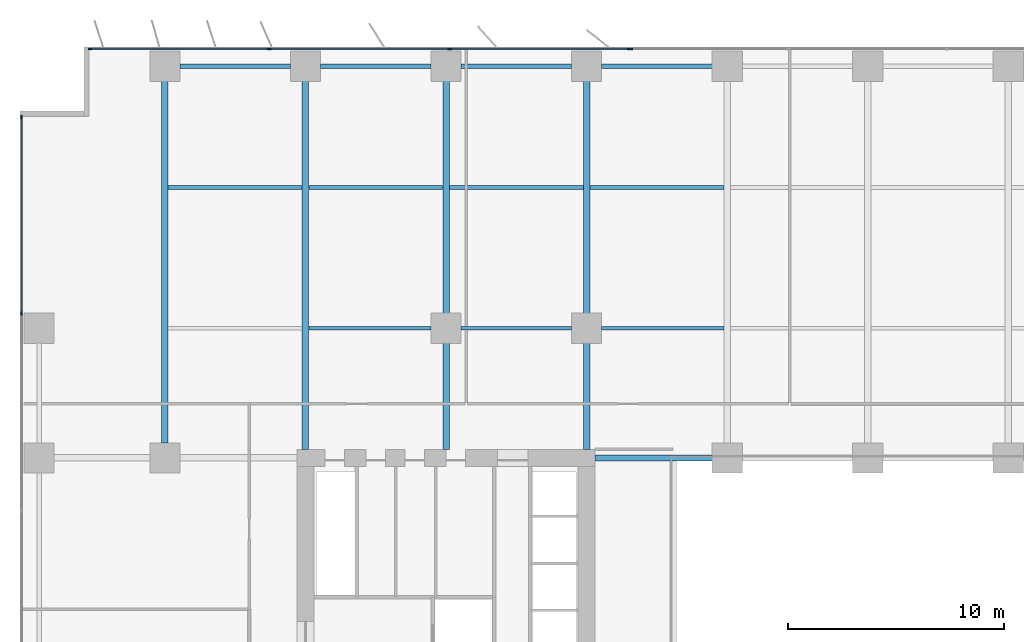
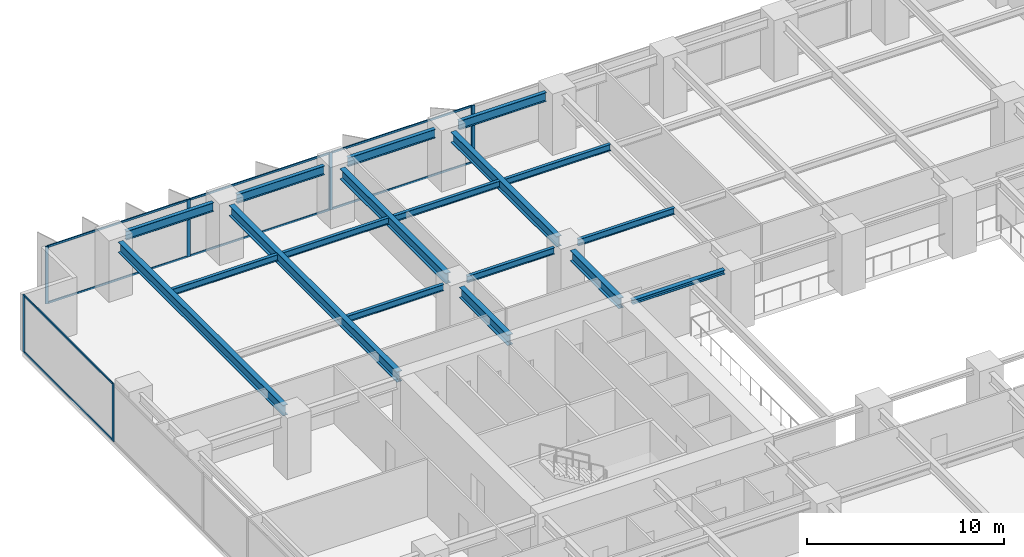
# One storey, part 7 of 20: 18 beams, 15 members, 3 elements without a shape of their own.
"""IFC4 building model written with IfcOpenShell, lengths in metres."""

import ifcopenshell
import ifcopenshell.guid

model = None  # the IFC model being written
_history = None  # IfcOwnerHistory: only IFC2X3 demands one
_inside = {}  # id of a spatial element -> (the spatial element, [elements in it])
_under = {}  # id of a project, library or spatial element -> (it, [spatial elements below it])
_declared = {}  # id of a project -> (the project, [libraries it declares])
_typed = {}  # id of a type object -> (the type object, [elements of that type])
_made_of = {}  # id of a material, layer set ... -> (it, [elements and type objects made of it])


def new_model(schema):
    """Start an empty IFC model of exactly this schema.

    Asked for "IFC4X3", IfcOpenShell would pick the latest addendum, in which some entities
    have other attributes; the version numbers below select the first issue.
    IFC2X3 requires an IfcOwnerHistory on every rooted entity: one is made here for all.
    """
    global model, _history
    if schema == "IFC4X3":
        model = ifcopenshell.file(schema_version=(4, 3, 0, 0))
    else:
        model = ifcopenshell.file(schema=schema)
    _inside.clear()
    _under.clear()
    _declared.clear()
    _typed.clear()
    _made_of.clear()
    _history = None
    if model.schema == "IFC2X3":
        org = make("IfcOrganization", Name="unknown")
        user = make(
            "IfcPersonAndOrganization",
            ThePerson=make("IfcPerson", FamilyName="unknown"),
            TheOrganization=org,
        )
        app = make(
            "IfcApplication",
            ApplicationDeveloper=org,
            Version="unknown",
            ApplicationFullName="unknown",
            ApplicationIdentifier="unknown",
        )
        _history = make(
            "IfcOwnerHistory",
            OwningUser=user,
            OwningApplication=app,
            ChangeAction="ADDED",
            CreationDate=0,
        )
    return model


def make(cls, **values):
    """One entity of the class cls with the attributes given. An attribute that is None is left unset."""
    return model.create_entity(
        cls, **{name: value for name, value in values.items() if value is not None}
    )


def rooted(cls, **values):
    """An entity with a GlobalId (a new one), such as an element, a storey or a relation."""
    return make(cls, GlobalId=ifcopenshell.guid.new(), OwnerHistory=_history, **values)


def si_unit(unit_type, name, prefix=None):
    """IfcSIUnit, for example si_unit("LENGTHUNIT", "METRE", prefix="MILLI")."""
    return make("IfcSIUnit", UnitType=unit_type, Prefix=prefix, Name=name)


def assignment(units):
    """IfcUnitAssignment: the units of a project."""
    return None if units is None else make("IfcUnitAssignment", Units=units)


def point(xyz):
    """IfcCartesianPoint."""
    return None if xyz is None else make("IfcCartesianPoint", Coordinates=xyz)


def direction(xyz):
    """IfcDirection."""
    return None if xyz is None else make("IfcDirection", DirectionRatios=xyz)


def frame(location, z_axis=None, x_axis=None):
    """IfcAxis2Placement3D, a coordinate frame: its origin and axes. An axis left out is left unset."""
    return make(
        "IfcAxis2Placement3D",
        Location=point(location),
        Axis=direction(z_axis),
        RefDirection=direction(x_axis),
    )


def frame_2d(location, x_axis=None):
    """IfcAxis2Placement2D, a coordinate frame in the plane: its origin and x axis."""
    return make(
        "IfcAxis2Placement2D", Location=point(location), RefDirection=direction(x_axis)
    )


def origin():
    """The frame at (0, 0, 0) with its axes left unset."""
    return frame((0.0, 0.0, 0.0))


def origin_2d():
    """The frame at (0, 0) in the plane with its x axis left unset."""
    return frame_2d((0.0, 0.0))


def place(relative_to, where):
    """IfcLocalPlacement: puts the frame where relative to a parent placement (None: the world)."""
    return make(
        "IfcLocalPlacement", PlacementRelTo=relative_to, RelativePlacement=where
    )


def context(
    kind, dimensions, precision=None, world=None, true_north=None, identifier=None
):
    """IfcGeometricRepresentationContext, for example the 3D "Model" context."""
    return make(
        "IfcGeometricRepresentationContext",
        ContextIdentifier=identifier,
        ContextType=kind,
        CoordinateSpaceDimension=dimensions,
        Precision=precision,
        WorldCoordinateSystem=world,
        TrueNorth=true_north,
    )


def subcontext(parent, identifier, kind, view, scale=None):
    """IfcGeometricRepresentationSubContext, for example "Body" below "Model"."""
    return make(
        "IfcGeometricRepresentationSubContext",
        ContextIdentifier=identifier,
        ContextType=kind,
        ParentContext=parent,
        TargetScale=scale,
        TargetView=view,
    )


def project(units=None, contexts=None):
    """IfcProject with its units and contexts."""
    return rooted(
        "IfcProject",
        Name="project",
        RepresentationContexts=contexts,
        UnitsInContext=assignment(units),
    )


def spatial(cls, under=None, at=None, **own):
    """A site, building, storey or space (cls), placed at a placement, below another one or the project."""
    s = rooted(cls, ObjectPlacement=at, **own)
    if under is not None:
        _under.setdefault(under.id(), (under, []))[1].append(s)
    return s


def profile(cls, at=None, kind="AREA", **sizes):
    """A parametric profile (cls). Its sizes go by their IFC names, for example OverallWidth=200.0."""
    return make(cls, ProfileType=kind, Position=at, **sizes)


def rectangle(**sizes):
    """IfcRectangleProfileDef."""
    return profile("IfcRectangleProfileDef", **sizes)


def i_section(**sizes):
    """IfcIShapeProfileDef."""
    return profile("IfcIShapeProfileDef", **sizes)


def extrude(swept, where, along, depth):
    """IfcExtrudedAreaSolid: the profile swept, set in the frame where, extruded along a direction by depth."""
    return make(
        "IfcExtrudedAreaSolid",
        SweptArea=swept,
        Position=where,
        ExtrudedDirection=direction(along),
        Depth=depth,
    )


def shape(context_of_items, identifier, shape_type, items):
    """IfcShapeRepresentation: the items that make up one representation, for example the "Body"."""
    return make(
        "IfcShapeRepresentation",
        ContextOfItems=context_of_items,
        RepresentationIdentifier=identifier,
        RepresentationType=shape_type,
        Items=items,
    )


def material(Name=None, Category=None):
    """IfcMaterial."""
    return make("IfcMaterial", Name=Name, Category=Category)


def layer(
    of_material, thickness, ventilated=None, Name=None, Category=None, Priority=None
):
    """IfcMaterialLayer: one layer of a wall or slab, of a material (None: an air gap)."""
    return make(
        "IfcMaterialLayer",
        Material=of_material,
        LayerThickness=thickness,
        IsVentilated=ventilated,
        Name=Name,
        Category=Category,
        Priority=Priority,
    )


def layer_set(layers, Name=None):
    """IfcMaterialLayerSet."""
    return make("IfcMaterialLayerSet", MaterialLayers=layers, LayerSetName=Name)


def material_profile(
    of_material, cross_section, Name=None, Category=None, Priority=None
):
    """IfcMaterialProfile: a cross section and its material."""
    return make(
        "IfcMaterialProfile",
        Name=Name,
        Material=of_material,
        Profile=cross_section,
        Priority=Priority,
        Category=Category,
    )


def profile_set(profiles, Name=None, composite=None):
    """IfcMaterialProfileSet."""
    return make(
        "IfcMaterialProfileSet",
        Name=Name,
        MaterialProfiles=profiles,
        CompositeProfile=composite,
    )


def made_of(thing, what):
    """Note that an element or type object is made of a material, layer set ...; save() writes the relation."""
    if what is not None:
        _made_of.setdefault(what.id(), (what, []))[1].append(thing)
    return thing


def type_object(cls, material=None, **own):
    """A type object (cls), such as IfcWallType, which elements share."""
    return made_of(rooted(cls, **own), material)


def element(
    cls,
    number,
    at=None,
    inside=None,
    cuts=None,
    type_object=None,
    material=None,
    context=None,
    identifier="Body",
    shape_type=None,
    held_by="IfcProductDefinitionShape",
    body=None,
    shapes=None,
    **own,
):
    """One element of the class cls, such as IfcWall. Its Tag is "e" and its number.

    at: its placement. inside: the storey or other place that contains it. cuts: it is an
    opening in that element (IfcRelVoidsElement). A single representation is given by context,
    identifier, shape_type and body (its items); several are given by shapes. held_by: the class
    of the entity that holds the representations. save() writes the other relations.
    """
    e = rooted(cls, Tag="e%d" % number, ObjectPlacement=at, **own)
    if body is not None:
        shapes = [shape(context, identifier, shape_type, body)]
    if shapes is not None:
        e.Representation = make(held_by, Representations=shapes)
    if inside is not None:
        _inside.setdefault(inside.id(), (inside, []))[1].append(e)
    if cuts is not None:
        rooted(
            "IfcRelVoidsElement", RelatingBuildingElement=cuts, RelatedOpeningElement=e
        )
    if type_object is not None:
        _typed.setdefault(type_object.id(), (type_object, []))[1].append(e)
    return made_of(e, material)


def aggregate(whole, parts):
    """IfcRelAggregates: a whole, such as a stair, and the parts it consists of."""
    return rooted("IfcRelAggregates", RelatingObject=whole, RelatedObjects=parts)


def save(model, path):
    """Write the relations noted so far, then the file.

    IfcRelAggregates (storeys below a building ...), IfcRelContainedInSpatialStructure (elements
    in a storey), IfcRelDefinesByType, IfcRelAssociatesMaterial and IfcRelDeclares: one each for
    every whole, place, type object, material and project.
    """
    for whole, parts in _under.values():
        aggregate(whole, parts)
    for where, things in _inside.values():
        rooted(
            "IfcRelContainedInSpatialStructure",
            RelatedElements=things,
            RelatingStructure=where,
        )
    for kind, things in _typed.values():
        rooted("IfcRelDefinesByType", RelatedObjects=things, RelatingType=kind)
    for what, things in _made_of.values():
        rooted("IfcRelAssociatesMaterial", RelatedObjects=things, RelatingMaterial=what)
    for by, libraries in _declared.values():
        rooted("IfcRelDeclares", RelatingContext=by, RelatedDefinitions=libraries)
    model.write(path)


model = new_model("IFC4")

# Units and contexts
model_context = context("Model", 3, precision=1e-05, world=origin(), true_north=direction((0.0, 1.0)))
body_context = subcontext(model_context, "Body", "Model", "MODEL_VIEW")
ifc_project = project(units=[si_unit("LENGTHUNIT", "METRE"), si_unit("AREAUNIT", "SQUARE_METRE"), si_unit("VOLUMEUNIT", "CUBIC_METRE"), si_unit("PLANEANGLEUNIT", "RADIAN"), si_unit("MASSUNIT", "GRAM", prefix="KILO")], contexts=[model_context])

# Site, building, storey
site_placement = place(None, origin())
site = spatial("IfcSite", under=ifc_project, at=site_placement, CompositionType="ELEMENT")
building_placement = place(site_placement, origin())
building = spatial("IfcBuilding", under=site, at=building_placement, Name="Putna Gate Headquarters", CompositionType="ELEMENT")
storey_placement = place(building_placement, frame((0.0, 0.0, 43.0)))
storey = spatial("IfcBuildingStorey", under=building, at=storey_placement, Name="L09", CompositionType="ELEMENT", Elevation=43.0)

# Beams
ifc_material_1 = material(Name="Steel S355J2", Category="steel")
ifc_material_profile_1 = material_profile(ifc_material_1, i_section(OverallWidth=0.260009765625, OverallDepth=0.260009765625, WebThickness=0.010009765625, FlangeThickness=0.017578125, at=origin_2d()), Name="Steel S355J2")
ifc_profile_set_1 = profile_set([ifc_material_profile_1], Name="Steel S355J2")
beam_type_1 = type_object("IfcBeamType", Name="BM-ATRIUM-HEB260", PredefinedType="BEAM", material=ifc_profile_set_1)
beam_1_placement = place(storey_placement, frame((26.385009765625, 33.0, 3.419921875), z_axis=(1.0, 0.0, 0.0), x_axis=(0.0, 1.0, 0.0)))
element("IfcBeam", 1, at=beam_1_placement, inside=storey, type_object=beam_type_1, Name="L09 Atrium Edge Beam AN1", PredefinedType="BEAM", context=body_context, shape_type="SweptSolid", body=[
    extrude(i_section(OverallWidth=0.260009765625, OverallDepth=0.260009765625, WebThickness=0.010009765625, FlangeThickness=0.017578125, at=origin_2d()), origin(), (0.0, 0.0, 1.0), 5.427001953125),
])
ifc_material_profile_2 = material_profile(ifc_material_1, i_section(OverallWidth=0.300048828125, OverallDepth=0.64990234375, WebThickness=0.01611328125, FlangeThickness=0.031005859375, at=origin_2d()), Name="Steel S355J2")
ifc_profile_set_2 = profile_set([ifc_material_profile_2], Name="Steel S355J2")
beam_type_2 = type_object("IfcBeamType", Name="BM-GIRD-Z1-HEB650", PredefinedType="USERDEFINED", material=ifc_profile_set_2)
beam_2_placement = place(storey_placement, frame((6.5, 33.68798828125, 3.22509765625), z_axis=(0.0, 1.0, 0.0), x_axis=(-1.0, 0.0, 0.0)))
element("IfcBeam", 2, at=beam_2_placement, inside=storey, type_object=beam_type_2, Name="L09 North Primary Girder X6", ObjectType="GIRDER", PredefinedType="USERDEFINED", context=body_context, shape_type="SweptSolid", body=[
    extrude(i_section(OverallWidth=0.300048828125, OverallDepth=0.64990234375, WebThickness=0.01611328125, FlangeThickness=0.031005859375, at=origin_2d()), origin(), (0.0, 0.0, 1.0), 16.743896484375),
])
beam_3_placement = place(storey_placement, frame((13.0, 33.385009765625, 3.22509765625), z_axis=(0.0, 1.0, 0.0), x_axis=(-1.0, 0.0, 0.0)))
element("IfcBeam", 3, at=beam_3_placement, inside=storey, type_object=beam_type_2, Name="L09 North Primary Girder X13", ObjectType="GIRDER", PredefinedType="USERDEFINED", context=body_context, shape_type="SweptSolid", body=[
    extrude(i_section(OverallWidth=0.300048828125, OverallDepth=0.64990234375, WebThickness=0.01611328125, FlangeThickness=0.031005859375, at=origin_2d()), origin(), (0.0, 0.0, 1.0), 17.046875),
])
beam_4_placement = place(storey_placement, frame((19.5, 33.385009765625, 3.22509765625), z_axis=(0.0, 1.0, 0.0), x_axis=(-1.0, 0.0, 0.0)))
element("IfcBeam", 4, at=beam_4_placement, inside=storey, type_object=beam_type_2, Name="L09 North Primary Girder X19-1", ObjectType="GIRDER", PredefinedType="USERDEFINED", context=body_context, shape_type="SweptSolid", body=[
    extrude(i_section(OverallWidth=0.300048828125, OverallDepth=0.64990234375, WebThickness=0.01611328125, FlangeThickness=0.031005859375, at=origin_2d()), origin(), (0.0, 0.0, 1.0), 4.927001953125),
])
beam_5_placement = place(storey_placement, frame((19.5, 39.68798828125, 3.22509765625), z_axis=(0.0, 1.0, 0.0), x_axis=(-1.0, 0.0, 0.0)))
element("IfcBeam", 5, at=beam_5_placement, inside=storey, type_object=beam_type_2, Name="L09 North Primary Girder X19-2", ObjectType="GIRDER", PredefinedType="USERDEFINED", context=body_context, shape_type="SweptSolid", body=[
    extrude(i_section(OverallWidth=0.300048828125, OverallDepth=0.64990234375, WebThickness=0.01611328125, FlangeThickness=0.031005859375, at=origin_2d()), origin(), (0.0, 0.0, 1.0), 10.743896484375),
])
beam_6_placement = place(storey_placement, frame((26.0, 33.385009765625, 3.22509765625), z_axis=(0.0, 1.0, 0.0), x_axis=(-1.0, 0.0, 0.0)))
element("IfcBeam", 6, at=beam_6_placement, inside=storey, type_object=beam_type_2, Name="L09 North Primary Girder X26-1", ObjectType="GIRDER", PredefinedType="USERDEFINED", context=body_context, shape_type="SweptSolid", body=[
    extrude(i_section(OverallWidth=0.300048828125, OverallDepth=0.64990234375, WebThickness=0.01611328125, FlangeThickness=0.031005859375, at=origin_2d()), origin(), (0.0, 0.0, 1.0), 4.927001953125),
])
beam_7_placement = place(storey_placement, frame((26.0, 39.68798828125, 3.22509765625), z_axis=(0.0, 1.0, 0.0), x_axis=(-1.0, 0.0, 0.0)))
element("IfcBeam", 7, at=beam_7_placement, inside=storey, type_object=beam_type_2, Name="L09 North Primary Girder X26-2", ObjectType="GIRDER", PredefinedType="USERDEFINED", context=body_context, shape_type="SweptSolid", body=[
    extrude(i_section(OverallWidth=0.300048828125, OverallDepth=0.64990234375, WebThickness=0.01611328125, FlangeThickness=0.031005859375, at=origin_2d()), origin(), (0.0, 0.0, 1.0), 10.743896484375),
])
ifc_material_profile_3 = material_profile(ifc_material_1, i_section(OverallWidth=0.179931640625, OverallDepth=0.39990234375, WebThickness=0.008544921875, FlangeThickness=0.013427734375, at=origin_2d()), Name="Steel S355J2")
ifc_profile_set_3 = profile_set([ifc_material_profile_3], Name="Steel S355J2")
beam_type_3 = type_object("IfcBeamType", Name="BM-SEC-Z1-IPE400", PredefinedType="BEAM", material=ifc_profile_set_3)
beam_8_placement = place(storey_placement, frame((6.654052734375, 45.5, 3.35009765625), z_axis=(1.0, 0.0, 0.0), x_axis=(0.0, 1.0, 0.0)))
element("IfcBeam", 8, at=beam_8_placement, inside=storey, type_object=beam_type_3, Name="L09 North Secondary Beam 1", PredefinedType="BEAM", context=body_context, shape_type="SweptSolid", body=[
    extrude(i_section(OverallWidth=0.179931640625, OverallDepth=0.39990234375, WebThickness=0.008544921875, FlangeThickness=0.013427734375, at=origin_2d()), origin(), (0.0, 0.0, 1.0), 6.19189453125),
])
beam_9_placement = place(storey_placement, frame((13.154052734375, 39.0, 3.35009765625), z_axis=(1.0, 0.0, 0.0), x_axis=(0.0, 1.0, 0.0)))
element("IfcBeam", 9, at=beam_9_placement, inside=storey, type_object=beam_type_3, Name="L09 North Secondary Beam 2", PredefinedType="BEAM", context=body_context, shape_type="SweptSolid", body=[
    extrude(i_section(OverallWidth=0.179931640625, OverallDepth=0.39990234375, WebThickness=0.008544921875, FlangeThickness=0.013427734375, at=origin_2d()), origin(), (0.0, 0.0, 1.0), 5.657958984375),
])
beam_10_placement = place(storey_placement, frame((13.154052734375, 45.5, 3.35009765625), z_axis=(1.0, 0.0, 0.0), x_axis=(0.0, 1.0, 0.0)))
element("IfcBeam", 10, at=beam_10_placement, inside=storey, type_object=beam_type_3, Name="L09 North Secondary Beam 2", PredefinedType="BEAM", context=body_context, shape_type="SweptSolid", body=[
    extrude(i_section(OverallWidth=0.179931640625, OverallDepth=0.39990234375, WebThickness=0.008544921875, FlangeThickness=0.013427734375, at=origin_2d()), origin(), (0.0, 0.0, 1.0), 6.19189453125),
])
beam_11_placement = place(storey_placement, frame((20.18798828125, 39.0, 3.35009765625), z_axis=(1.0, 0.0, 0.0), x_axis=(0.0, 1.0, 0.0)))
element("IfcBeam", 11, at=beam_11_placement, inside=storey, type_object=beam_type_3, Name="L09 North Secondary Beam 3", PredefinedType="BEAM", context=body_context, shape_type="SweptSolid", body=[
    extrude(i_section(OverallWidth=0.179931640625, OverallDepth=0.39990234375, WebThickness=0.008544921875, FlangeThickness=0.013427734375, at=origin_2d()), origin(), (0.0, 0.0, 1.0), 5.1240234375),
])
beam_12_placement = place(storey_placement, frame((19.654052734375, 45.5, 3.35009765625), z_axis=(1.0, 0.0, 0.0), x_axis=(0.0, 1.0, 0.0)))
element("IfcBeam", 12, at=beam_12_placement, inside=storey, type_object=beam_type_3, Name="L09 North Secondary Beam 3", PredefinedType="BEAM", context=body_context, shape_type="SweptSolid", body=[
    extrude(i_section(OverallWidth=0.179931640625, OverallDepth=0.39990234375, WebThickness=0.008544921875, FlangeThickness=0.013427734375, at=origin_2d()), origin(), (0.0, 0.0, 1.0), 6.19189453125),
])
beam_13_placement = place(storey_placement, frame((26.68798828125, 39.0, 3.35009765625), z_axis=(1.0, 0.0, 0.0), x_axis=(0.0, 1.0, 0.0)))
element("IfcBeam", 13, at=beam_13_placement, inside=storey, type_object=beam_type_3, Name="L09 North Secondary Beam 4", PredefinedType="BEAM", context=body_context, shape_type="SweptSolid", body=[
    extrude(i_section(OverallWidth=0.179931640625, OverallDepth=0.39990234375, WebThickness=0.008544921875, FlangeThickness=0.013427734375, at=origin_2d()), origin(), (0.0, 0.0, 1.0), 5.657958984375),
])
beam_14_placement = place(storey_placement, frame((26.154052734375, 45.5, 3.35009765625), z_axis=(1.0, 0.0, 0.0), x_axis=(0.0, 1.0, 0.0)))
element("IfcBeam", 14, at=beam_14_placement, inside=storey, type_object=beam_type_3, Name="L09 North Secondary Beam 4", PredefinedType="BEAM", context=body_context, shape_type="SweptSolid", body=[
    extrude(i_section(OverallWidth=0.179931640625, OverallDepth=0.39990234375, WebThickness=0.008544921875, FlangeThickness=0.013427734375, at=origin_2d()), origin(), (0.0, 0.0, 1.0), 6.19189453125),
])
ifc_material_profile_4 = material_profile(ifc_material_1, i_section(OverallWidth=0.2099609375, OverallDepth=0.550048828125, WebThickness=0.010986328125, FlangeThickness=0.01708984375, at=origin_2d()), Name="Steel S355J2")
ifc_profile_set_4 = profile_set([ifc_material_profile_4], Name="Steel S355J2")
beam_type_4 = type_object("IfcBeamType", Name="BM-SPAN-Z1-IPE550", PredefinedType="SPANDREL", material=ifc_profile_set_4)
for number, where, z_axis, x_axis, name in (
    (15, (7.18798828125, 51.1201171875, 3.27490234375), (1.0, 0.0, 0.0), (0.0, 1.0, 0.0), "L09 N Perimeter Spandrel 1"),
    (16, (13.68798828125, 51.1201171875, 3.27490234375), (1.0, 0.0, 0.0), (0.0, 1.0, 0.0), "L09 N Perimeter Spandrel 2"),
    (17, (20.18798828125, 51.1201171875, 3.27490234375), (1.0, 0.0, 0.0), (0.0, 1.0, 0.0), "L09 N Perimeter Spandrel 3"),
    (18, (26.68798828125, 51.1201171875, 3.27490234375), (1.0, 0.0, 0.0), (0.0, 1.0, 0.0), "L09 N Perimeter Spandrel 4"),
):
    element("IfcBeam", number, at=place(storey_placement, frame(where, z_axis=z_axis, x_axis=x_axis)), inside=storey, type_object=beam_type_4, Name=name, PredefinedType="SPANDREL", context=body_context, shape_type="SweptSolid", body=[
        extrude(i_section(OverallWidth=0.2099609375, OverallDepth=0.550048828125, WebThickness=0.010986328125, FlangeThickness=0.01708984375, at=origin_2d()), origin(), (0.0, 0.0, 1.0), 5.1240234375),
    ])

# Curtain wall, members
ifc_material_2 = material(Name="Anodised bronze aluminium curtain wall", Category="aluminium")
ifc_layer_1 = layer(ifc_material_2, 0.179931640625)
ifc_layer_set_1 = layer_set([ifc_layer_1], Name="Anodised bronze aluminium curtain wall")
curtain_wall_type_1 = type_object("IfcCurtainWallType", Name="CW-SYS-Z1", PredefinedType="USERDEFINED", material=ifc_layer_set_1)
curtain_wall_1_placement = place(storey_placement, origin())
curtain_wall_1 = element("IfcCurtainWall", 19, at=curtain_wall_1_placement, inside=storey, type_object=curtain_wall_type_1, Name="L09 North West Curtain Wall", ObjectType="STICK CURTAIN WALL", PredefinedType="USERDEFINED")
ifc_material_3 = material(Name="Anodised bronze aluminium EN AW-6060", Category="aluminium")
ifc_material_profile_5 = material_profile(ifc_material_3, rectangle(XDim=0.070068359375, YDim=0.179931640625, at=origin_2d()), Name="Anodised bronze aluminium EN AW-6060")
ifc_profile_set_5 = profile_set([ifc_material_profile_5], Name="Anodised bronze aluminium EN AW-6060")
member_type_1 = type_object("IfcMemberType", Name="MULL-CWM-1", PredefinedType="MULLION", material=ifc_profile_set_5)
member_1_placement = place(storey_placement, frame((3.034912109375, 51.919921875, 0.0), z_axis=(0.0, 0.0, 1.0), x_axis=(0.0, 1.0, 0.0)))
member_1 = element("IfcMember", 20, at=member_1_placement, type_object=member_type_1, Name="CWS-1 mullion 1", PredefinedType="MULLION", context=body_context, shape_type="SweptSolid", body=[
    extrude(rectangle(XDim=0.070068359375, YDim=0.179931640625, at=origin_2d()), origin(), (0.0, 0.0, 1.0), 3.550048828125),
])
member_2_placement = place(storey_placement, frame((11.333251953125, 51.919921875, 0.0), z_axis=(0.0, 0.0, 1.0), x_axis=(0.0, 1.0, 0.0)))
member_2 = element("IfcMember", 21, at=member_2_placement, type_object=member_type_1, Name="CWS-1 mullion 2", PredefinedType="MULLION", context=body_context, shape_type="SweptSolid", body=[
    extrude(rectangle(XDim=0.070068359375, YDim=0.179931640625, at=origin_2d()), origin(), (0.0, 0.0, 1.0), 3.550048828125),
])
member_3_placement = place(storey_placement, frame((19.666748046875, 51.919921875, 0.0), z_axis=(0.0, 0.0, 1.0), x_axis=(0.0, 1.0, 0.0)))
member_3 = element("IfcMember", 22, at=member_3_placement, type_object=member_type_1, Name="CWS-1 mullion 3", PredefinedType="MULLION", context=body_context, shape_type="SweptSolid", body=[
    extrude(rectangle(XDim=0.070068359375, YDim=0.179931640625, at=origin_2d()), origin(), (0.0, 0.0, 1.0), 3.550048828125),
])
member_4_placement = place(storey_placement, frame((27.965087890625, 51.919921875, 0.0), z_axis=(0.0, 0.0, 1.0), x_axis=(0.0, 1.0, 0.0)))
member_4 = element("IfcMember", 23, at=member_4_placement, type_object=member_type_1, Name="CWS-1 mullion 4", PredefinedType="MULLION", context=body_context, shape_type="SweptSolid", body=[
    extrude(rectangle(XDim=0.070068359375, YDim=0.179931640625, at=origin_2d()), origin(), (0.0, 0.0, 1.0), 3.550048828125),
])

curtain_wall_2_placement = place(storey_placement, origin())
curtain_wall_2 = element("IfcCurtainWall", 24, at=curtain_wall_2_placement, inside=storey, type_object=curtain_wall_type_1, Name="L09 West Curtain Wall", ObjectType="STICK CURTAIN WALL", PredefinedType="USERDEFINED")
member_5_placement = place(storey_placement, frame((-0.1201171875, 39.679931640625, 0.0), z_axis=(0.0, 0.0, 1.0), x_axis=(-1.0, 0.0, 0.0)))
member_5 = element("IfcMember", 25, at=member_5_placement, type_object=member_type_1, Name="CWS-1 mullion 5", PredefinedType="MULLION", context=body_context, shape_type="SweptSolid", body=[
    extrude(rectangle(XDim=0.070068359375, YDim=0.179931640625, at=origin_2d()), origin(), (0.0, 0.0, 1.0), 3.550048828125),
])
member_6_placement = place(storey_placement, frame((-0.1201171875, 48.764892578125, 0.0), z_axis=(0.0, 0.0, 1.0), x_axis=(-1.0, 0.0, 0.0)))
member_6 = element("IfcMember", 26, at=member_6_placement, type_object=member_type_1, Name="CWS-1 mullion 6", PredefinedType="MULLION", context=body_context, shape_type="SweptSolid", body=[
    extrude(rectangle(XDim=0.070068359375, YDim=0.179931640625, at=origin_2d()), origin(), (0.0, 0.0, 1.0), 3.550048828125),
])

# Curtain wall, member
ifc_layer_2 = layer(ifc_material_2, 0.179931640625)
ifc_layer_set_2 = layer_set([ifc_layer_2], Name="Anodised bronze aluminium curtain wall")
curtain_wall_type_2 = type_object("IfcCurtainWallType", Name="CW-SYS-ATR", PredefinedType="USERDEFINED", material=ifc_layer_set_2)
curtain_wall_3_placement = place(storey_placement, origin())
curtain_wall_3 = element("IfcCurtainWall", 27, at=curtain_wall_3_placement, inside=storey, type_object=curtain_wall_type_2, Name="L09 North Atrium Clear Glazing", ObjectType="ATRIUM GLAZING", PredefinedType="USERDEFINED")
ifc_material_profile_6 = material_profile(ifc_material_3, rectangle(XDim=0.070068359375, YDim=0.179931640625, at=origin_2d()), Name="Anodised bronze aluminium EN AW-6060")
ifc_profile_set_6 = profile_set([ifc_material_profile_6], Name="Anodised bronze aluminium EN AW-6060")
member_type_2 = type_object("IfcMemberType", Name="MULL-CWM-AT", PredefinedType="MULLION", material=ifc_profile_set_6)
member_7_placement = place(storey_placement, frame((28.034912109375, 51.919921875, 0.0), z_axis=(0.0, 0.0, 1.0), x_axis=(0.0, 1.0, 0.0)))
member_7 = element("IfcMember", 28, at=member_7_placement, type_object=member_type_2, Name="CWS-AT mullion 1", PredefinedType="MULLION", context=body_context, shape_type="SweptSolid", body=[
    extrude(rectangle(XDim=0.070068359375, YDim=0.179931640625, at=origin_2d()), origin(), (0.0, 0.0, 1.0), 3.550048828125),
])
aggregate(curtain_wall_3, [member_7])

# Member
ifc_material_profile_7 = material_profile(ifc_material_3, rectangle(XDim=0.06494140625, YDim=0.1201171875, at=origin_2d()), Name="Anodised bronze aluminium EN AW-6060")
ifc_profile_set_7 = profile_set([ifc_material_profile_7], Name="Anodised bronze aluminium EN AW-6060")
member_type_3 = type_object("IfcMemberType", Name="TRAN-CWT-1", PredefinedType="USERDEFINED", material=ifc_profile_set_7)
member_8_placement = place(storey_placement, frame((3.070068359375, 51.919921875, 0.032470703125), z_axis=(1.0, 0.0, 0.0), x_axis=(0.0, 1.0, 0.0)))
member_8 = element("IfcMember", 29, at=member_8_placement, type_object=member_type_3, Name="CWS-1 transom 1.1", ObjectType="TRANSOM", PredefinedType="USERDEFINED", context=body_context, shape_type="SweptSolid", body=[
    extrude(rectangle(XDim=0.06494140625, YDim=0.1201171875, at=origin_2d()), origin(), (0.0, 0.0, 1.0), 8.228271484375),
])

member_9_placement = place(storey_placement, frame((3.070068359375, 51.919921875, 3.517578125), z_axis=(1.0, 0.0, 0.0), x_axis=(0.0, 1.0, 0.0)))
member_9 = element("IfcMember", 30, at=member_9_placement, type_object=member_type_3, Name="CWS-1 transom 1.2", ObjectType="TRANSOM", PredefinedType="USERDEFINED", context=body_context, shape_type="SweptSolid", body=[
    extrude(rectangle(XDim=0.06494140625, YDim=0.1201171875, at=origin_2d()), origin(), (0.0, 0.0, 1.0), 8.228271484375),
])

member_10_placement = place(storey_placement, frame((11.368408203125, 51.919921875, 0.032470703125), z_axis=(1.0, 0.0, 0.0), x_axis=(0.0, 1.0, 0.0)))
member_10 = element("IfcMember", 31, at=member_10_placement, type_object=member_type_3, Name="CWS-1 transom 2.1", ObjectType="TRANSOM", PredefinedType="USERDEFINED", context=body_context, shape_type="SweptSolid", body=[
    extrude(rectangle(XDim=0.06494140625, YDim=0.1201171875, at=origin_2d()), origin(), (0.0, 0.0, 1.0), 8.26318359375),
])

member_11_placement = place(storey_placement, frame((11.368408203125, 51.919921875, 3.517578125), z_axis=(1.0, 0.0, 0.0), x_axis=(0.0, 1.0, 0.0)))
member_11 = element("IfcMember", 32, at=member_11_placement, type_object=member_type_3, Name="CWS-1 transom 2.2", ObjectType="TRANSOM", PredefinedType="USERDEFINED", context=body_context, shape_type="SweptSolid", body=[
    extrude(rectangle(XDim=0.06494140625, YDim=0.1201171875, at=origin_2d()), origin(), (0.0, 0.0, 1.0), 8.26318359375),
])

member_12_placement = place(storey_placement, frame((19.70166015625, 51.919921875, 0.032470703125), z_axis=(1.0, 0.0, 0.0), x_axis=(0.0, 1.0, 0.0)))
member_12 = element("IfcMember", 33, at=member_12_placement, type_object=member_type_3, Name="CWS-1 transom 3.1", ObjectType="TRANSOM", PredefinedType="USERDEFINED", context=body_context, shape_type="SweptSolid", body=[
    extrude(rectangle(XDim=0.06494140625, YDim=0.1201171875, at=origin_2d()), origin(), (0.0, 0.0, 1.0), 8.228271484375),
])

member_13_placement = place(storey_placement, frame((19.70166015625, 51.919921875, 3.517578125), z_axis=(1.0, 0.0, 0.0), x_axis=(0.0, 1.0, 0.0)))
member_13 = element("IfcMember", 34, at=member_13_placement, type_object=member_type_3, Name="CWS-1 transom 3.2", ObjectType="TRANSOM", PredefinedType="USERDEFINED", context=body_context, shape_type="SweptSolid", body=[
    extrude(rectangle(XDim=0.06494140625, YDim=0.1201171875, at=origin_2d()), origin(), (0.0, 0.0, 1.0), 8.228271484375),
])

aggregate(curtain_wall_1, [member_1, member_2, member_3, member_4, member_8, member_9, member_10, member_11, member_12, member_13])

member_14_placement = place(storey_placement, frame((-0.1201171875, 39.715087890625, 0.032470703125), z_axis=(0.0, 1.0, 0.0), x_axis=(-1.0, 0.0, 0.0)))
member_14 = element("IfcMember", 35, at=member_14_placement, type_object=member_type_3, Name="CWS-1 transom 5.1", ObjectType="TRANSOM", PredefinedType="USERDEFINED", context=body_context, shape_type="SweptSolid", body=[
    extrude(rectangle(XDim=0.06494140625, YDim=0.1201171875, at=origin_2d()), origin(), (0.0, 0.0, 1.0), 9.014892578125),
])

member_15_placement = place(storey_placement, frame((-0.1201171875, 39.715087890625, 3.517578125), z_axis=(0.0, 1.0, 0.0), x_axis=(-1.0, 0.0, 0.0)))
member_15 = element("IfcMember", 36, at=member_15_placement, type_object=member_type_3, Name="CWS-1 transom 5.2", ObjectType="TRANSOM", PredefinedType="USERDEFINED", context=body_context, shape_type="SweptSolid", body=[
    extrude(rectangle(XDim=0.06494140625, YDim=0.1201171875, at=origin_2d()), origin(), (0.0, 0.0, 1.0), 9.014892578125),
])

aggregate(curtain_wall_2, [member_5, member_6, member_14, member_15])

save(model, "model.ifc")
